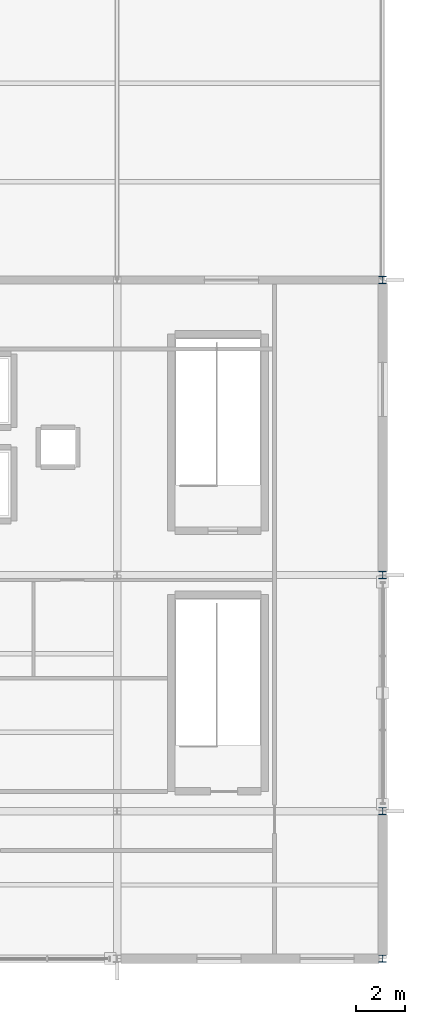
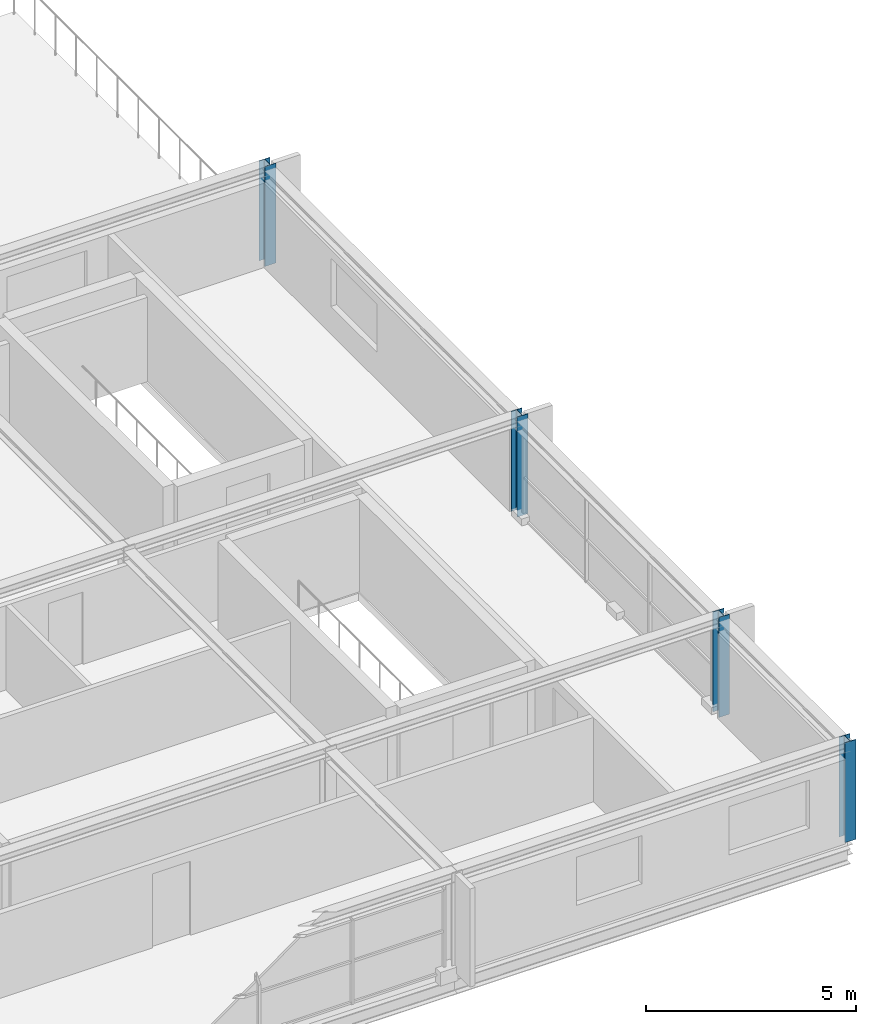
# One storey, part 2 of 14: 4 columns.
"""IFC4 building model written with IfcOpenShell, lengths in metres."""

from ifc_helpers import new_model, si_unit, direction, frame, origin, origin_2d, place, context, subcontext, project, spatial, i_section, extrude, material, material_profile, profile_set, type_object, element, save


model = new_model("IFC4")

# Units and contexts
model_context = context("Model", 3, precision=1e-05, world=origin(), true_north=direction((0.0, 1.0)))
body_context = subcontext(model_context, "Body", "Model", "MODEL_VIEW")
ifc_project = project(units=[si_unit("LENGTHUNIT", "METRE"), si_unit("AREAUNIT", "SQUARE_METRE"), si_unit("VOLUMEUNIT", "CUBIC_METRE"), si_unit("PLANEANGLEUNIT", "RADIAN"), si_unit("MASSUNIT", "GRAM", prefix="KILO")], contexts=[model_context])

# Site, building, storey
site_placement = place(None, origin())
site = spatial("IfcSite", under=ifc_project, at=site_placement, CompositionType="ELEMENT")
building_placement = place(site_placement, origin())
building = spatial("IfcBuilding", under=site, at=building_placement, Name="Merenkruunu Market Hall", CompositionType="ELEMENT")
storey_placement = place(building_placement, frame((0.0, 0.0, 18.60009765625)))
storey = spatial("IfcBuildingStorey", under=building, at=storey_placement, Name="L04", CompositionType="ELEMENT", Elevation=18.60009765625)

# Columns
ifc_material = material(Name="Steel S355J2", Category="steel")
ifc_material_profile = material_profile(ifc_material, i_section(OverallWidth=0.300048828125, OverallDepth=0.2900390625, WebThickness=0.008544921875, FlangeThickness=0.013916015625, FilletRadius=0.027099609375, at=origin_2d()), Name="HEA 300")
ifc_profile_set = profile_set([ifc_material_profile], Name="Steel S355J2")
column_type = type_object("IfcColumnType", Name="Structural Column C09", PredefinedType="COLUMN", material=ifc_profile_set)
for number, where, z_axis, x_axis, name in (
    (1, (192.0, 0.0, 0.0), (0.0, 0.0, 1.0), (1.0, 0.0, 0.0), "COL-L04-U-01"),
    (2, (192.0, 6.0, 0.0), (0.0, 0.0, 1.0), (1.0, 0.0, 0.0), "COL-L04-U-02"),
    (3, (192.0, 15.60009765625, 0.0), (0.0, 0.0, 1.0), (1.0, 0.0, 0.0), "COL-L04-U-03"),
    (4, (192.0, 27.60009765625, 0.0), (0.0, 0.0, 1.0), (1.0, 0.0, 0.0), "COL-L04-U-04"),
):
    element("IfcColumn", number, at=place(storey_placement, frame(where, z_axis=z_axis, x_axis=x_axis)), inside=storey, type_object=column_type, Name=name, PredefinedType="COLUMN", context=body_context, shape_type="SweptSolid", body=[
        extrude(i_section(OverallWidth=0.300048828125, OverallDepth=0.2900390625, WebThickness=0.008544921875, FlangeThickness=0.013916015625, FilletRadius=0.027099609375, at=origin_2d()), origin(), (0.0, 0.0, 1.0), 2.89990234375),
    ])

save(model, "model.ifc")
